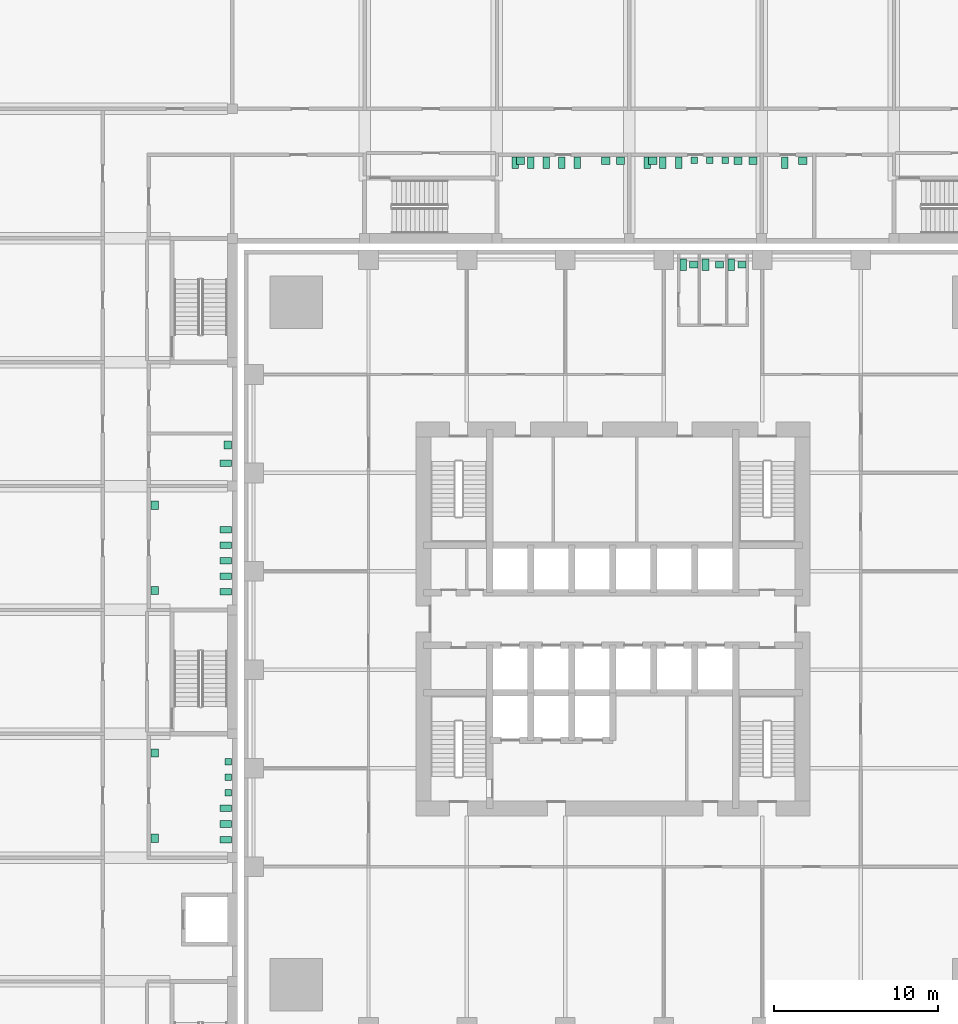
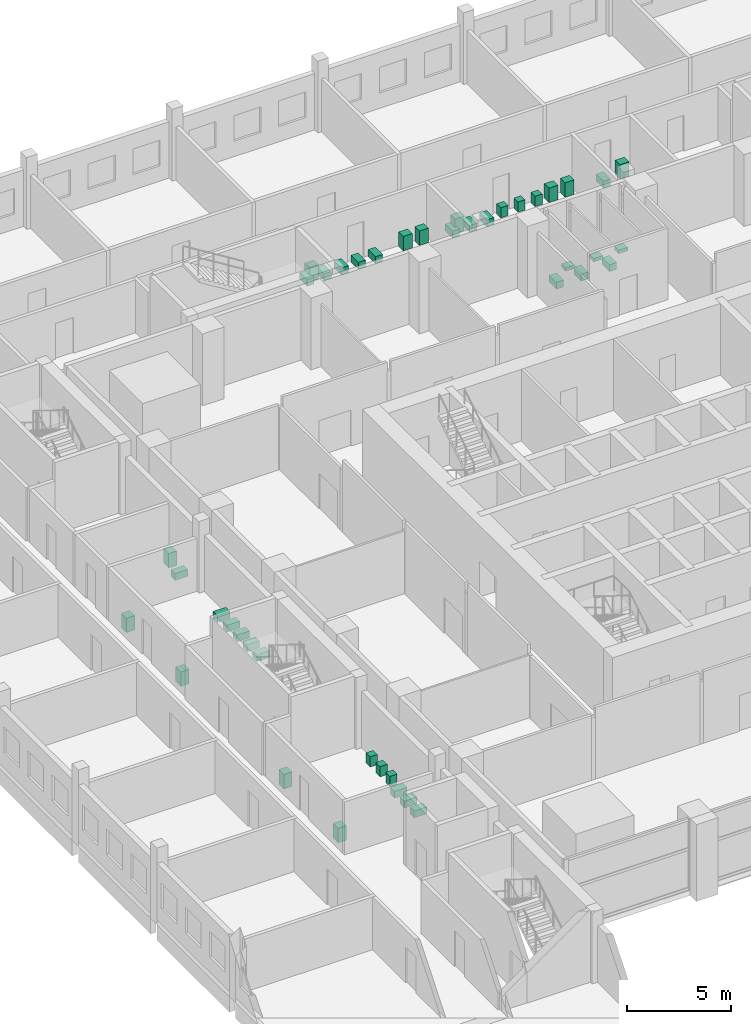
# One storey, part 25 of 25: 42 sanitary terminals.
"""IFC4 building model written with IfcOpenShell, lengths in metres."""

import ifcopenshell
import ifcopenshell.guid

model = None  # the IFC model being written
_history = None  # IfcOwnerHistory: only IFC2X3 demands one
_inside = {}  # id of a spatial element -> (the spatial element, [elements in it])
_under = {}  # id of a project, library or spatial element -> (it, [spatial elements below it])
_declared = {}  # id of a project -> (the project, [libraries it declares])
_typed = {}  # id of a type object -> (the type object, [elements of that type])
_made_of = {}  # id of a material, layer set ... -> (it, [elements and type objects made of it])


def new_model(schema):
    """Start an empty IFC model of exactly this schema.

    Asked for "IFC4X3", IfcOpenShell would pick the latest addendum, in which some entities
    have other attributes; the version numbers below select the first issue.
    IFC2X3 requires an IfcOwnerHistory on every rooted entity: one is made here for all.
    """
    global model, _history
    if schema == "IFC4X3":
        model = ifcopenshell.file(schema_version=(4, 3, 0, 0))
    else:
        model = ifcopenshell.file(schema=schema)
    _inside.clear()
    _under.clear()
    _declared.clear()
    _typed.clear()
    _made_of.clear()
    _history = None
    if model.schema == "IFC2X3":
        org = make("IfcOrganization", Name="unknown")
        user = make(
            "IfcPersonAndOrganization",
            ThePerson=make("IfcPerson", FamilyName="unknown"),
            TheOrganization=org,
        )
        app = make(
            "IfcApplication",
            ApplicationDeveloper=org,
            Version="unknown",
            ApplicationFullName="unknown",
            ApplicationIdentifier="unknown",
        )
        _history = make(
            "IfcOwnerHistory",
            OwningUser=user,
            OwningApplication=app,
            ChangeAction="ADDED",
            CreationDate=0,
        )
    return model


def make(cls, **values):
    """One entity of the class cls with the attributes given. An attribute that is None is left unset."""
    return model.create_entity(
        cls, **{name: value for name, value in values.items() if value is not None}
    )


def rooted(cls, **values):
    """An entity with a GlobalId (a new one), such as an element, a storey or a relation."""
    return make(cls, GlobalId=ifcopenshell.guid.new(), OwnerHistory=_history, **values)


def si_unit(unit_type, name, prefix=None):
    """IfcSIUnit, for example si_unit("LENGTHUNIT", "METRE", prefix="MILLI")."""
    return make("IfcSIUnit", UnitType=unit_type, Prefix=prefix, Name=name)


def assignment(units):
    """IfcUnitAssignment: the units of a project."""
    return None if units is None else make("IfcUnitAssignment", Units=units)


def point(xyz):
    """IfcCartesianPoint."""
    return None if xyz is None else make("IfcCartesianPoint", Coordinates=xyz)


def direction(xyz):
    """IfcDirection."""
    return None if xyz is None else make("IfcDirection", DirectionRatios=xyz)


def frame(location, z_axis=None, x_axis=None):
    """IfcAxis2Placement3D, a coordinate frame: its origin and axes. An axis left out is left unset."""
    return make(
        "IfcAxis2Placement3D",
        Location=point(location),
        Axis=direction(z_axis),
        RefDirection=direction(x_axis),
    )


def frame_2d(location, x_axis=None):
    """IfcAxis2Placement2D, a coordinate frame in the plane: its origin and x axis."""
    return make(
        "IfcAxis2Placement2D", Location=point(location), RefDirection=direction(x_axis)
    )


def origin():
    """The frame at (0, 0, 0) with its axes left unset."""
    return frame((0.0, 0.0, 0.0))


def origin_2d():
    """The frame at (0, 0) in the plane with its x axis left unset."""
    return frame_2d((0.0, 0.0))


def place(relative_to, where):
    """IfcLocalPlacement: puts the frame where relative to a parent placement (None: the world)."""
    return make(
        "IfcLocalPlacement", PlacementRelTo=relative_to, RelativePlacement=where
    )


def context(
    kind, dimensions, precision=None, world=None, true_north=None, identifier=None
):
    """IfcGeometricRepresentationContext, for example the 3D "Model" context."""
    return make(
        "IfcGeometricRepresentationContext",
        ContextIdentifier=identifier,
        ContextType=kind,
        CoordinateSpaceDimension=dimensions,
        Precision=precision,
        WorldCoordinateSystem=world,
        TrueNorth=true_north,
    )


def subcontext(parent, identifier, kind, view, scale=None):
    """IfcGeometricRepresentationSubContext, for example "Body" below "Model"."""
    return make(
        "IfcGeometricRepresentationSubContext",
        ContextIdentifier=identifier,
        ContextType=kind,
        ParentContext=parent,
        TargetScale=scale,
        TargetView=view,
    )


def project(units=None, contexts=None):
    """IfcProject with its units and contexts."""
    return rooted(
        "IfcProject",
        Name="project",
        RepresentationContexts=contexts,
        UnitsInContext=assignment(units),
    )


def spatial(cls, under=None, at=None, **own):
    """A site, building, storey or space (cls), placed at a placement, below another one or the project."""
    s = rooted(cls, ObjectPlacement=at, **own)
    if under is not None:
        _under.setdefault(under.id(), (under, []))[1].append(s)
    return s


def profile(cls, at=None, kind="AREA", **sizes):
    """A parametric profile (cls). Its sizes go by their IFC names, for example OverallWidth=200.0."""
    return make(cls, ProfileType=kind, Position=at, **sizes)


def rectangle(**sizes):
    """IfcRectangleProfileDef."""
    return profile("IfcRectangleProfileDef", **sizes)


def extrude(swept, where, along, depth):
    """IfcExtrudedAreaSolid: the profile swept, set in the frame where, extruded along a direction by depth."""
    return make(
        "IfcExtrudedAreaSolid",
        SweptArea=swept,
        Position=where,
        ExtrudedDirection=direction(along),
        Depth=depth,
    )


def shape(context_of_items, identifier, shape_type, items):
    """IfcShapeRepresentation: the items that make up one representation, for example the "Body"."""
    return make(
        "IfcShapeRepresentation",
        ContextOfItems=context_of_items,
        RepresentationIdentifier=identifier,
        RepresentationType=shape_type,
        Items=items,
    )


def made_of(thing, what):
    """Note that an element or type object is made of a material, layer set ...; save() writes the relation."""
    if what is not None:
        _made_of.setdefault(what.id(), (what, []))[1].append(thing)
    return thing


def element(
    cls,
    number,
    at=None,
    inside=None,
    cuts=None,
    type_object=None,
    material=None,
    context=None,
    identifier="Body",
    shape_type=None,
    held_by="IfcProductDefinitionShape",
    body=None,
    shapes=None,
    **own,
):
    """One element of the class cls, such as IfcWall. Its Tag is "e" and its number.

    at: its placement. inside: the storey or other place that contains it. cuts: it is an
    opening in that element (IfcRelVoidsElement). A single representation is given by context,
    identifier, shape_type and body (its items); several are given by shapes. held_by: the class
    of the entity that holds the representations. save() writes the other relations.
    """
    e = rooted(cls, Tag="e%d" % number, ObjectPlacement=at, **own)
    if body is not None:
        shapes = [shape(context, identifier, shape_type, body)]
    if shapes is not None:
        e.Representation = make(held_by, Representations=shapes)
    if inside is not None:
        _inside.setdefault(inside.id(), (inside, []))[1].append(e)
    if cuts is not None:
        rooted(
            "IfcRelVoidsElement", RelatingBuildingElement=cuts, RelatedOpeningElement=e
        )
    if type_object is not None:
        _typed.setdefault(type_object.id(), (type_object, []))[1].append(e)
    return made_of(e, material)


def aggregate(whole, parts):
    """IfcRelAggregates: a whole, such as a stair, and the parts it consists of."""
    return rooted("IfcRelAggregates", RelatingObject=whole, RelatedObjects=parts)


def save(model, path):
    """Write the relations noted so far, then the file.

    IfcRelAggregates (storeys below a building ...), IfcRelContainedInSpatialStructure (elements
    in a storey), IfcRelDefinesByType, IfcRelAssociatesMaterial and IfcRelDeclares: one each for
    every whole, place, type object, material and project.
    """
    for whole, parts in _under.values():
        aggregate(whole, parts)
    for where, things in _inside.values():
        rooted(
            "IfcRelContainedInSpatialStructure",
            RelatedElements=things,
            RelatingStructure=where,
        )
    for kind, things in _typed.values():
        rooted("IfcRelDefinesByType", RelatedObjects=things, RelatingType=kind)
    for what, things in _made_of.values():
        rooted("IfcRelAssociatesMaterial", RelatedObjects=things, RelatingMaterial=what)
    for by, libraries in _declared.values():
        rooted("IfcRelDeclares", RelatingContext=by, RelatedDefinitions=libraries)
    model.write(path)


model = new_model("IFC4")

# Units and contexts
model_context = context("Model", 3, precision=1e-05, world=origin(), true_north=direction((0.0, 1.0)))
body_context = subcontext(model_context, "Body", "Model", "MODEL_VIEW")
ifc_project = project(units=[si_unit("LENGTHUNIT", "METRE"), si_unit("AREAUNIT", "SQUARE_METRE"), si_unit("VOLUMEUNIT", "CUBIC_METRE"), si_unit("PLANEANGLEUNIT", "RADIAN"), si_unit("MASSUNIT", "GRAM", prefix="KILO")], contexts=[model_context])

# Site, building, storey
site_placement = place(None, origin())
site = spatial("IfcSite", under=ifc_project, at=site_placement, CompositionType="ELEMENT")
building_placement = place(site_placement, origin())
building = spatial("IfcBuilding", under=site, at=building_placement, Name="Amberfall Residences", CompositionType="ELEMENT")
storey_placement = place(building_placement, frame((0.0, 0.0, 14.5)))
storey = spatial("IfcBuildingStorey", under=building, at=storey_placement, Name="L03", CompositionType="ELEMENT", Elevation=14.5)

# Sanitary terminals
sanitary_terminal_1_placement = place(storey_placement, frame((78.780029296875, 67.10009765625, 0.0), z_axis=(0.0, 0.0, 1.0), x_axis=(1.0, 0.0, 0.0)))
element("IfcSanitaryTerminal", 1, at=sanitary_terminal_1_placement, inside=storey, Name="WC pan Gents WC L03", PredefinedType="TOILETPAN", context=body_context, shape_type="SweptSolid", body=[
    extrude(rectangle(XDim=0.39990234375, YDim=0.699951171875, at=origin_2d()), origin(), (0.0, 0.0, 1.0), 0.39990234375),
])
sanitary_terminal_2_placement = place(storey_placement, frame((79.429931640625, 67.10009765625, 0.75), z_axis=(0.0, 0.0, 1.0), x_axis=(1.0, 0.0, 0.0)))
element("IfcSanitaryTerminal", 2, at=sanitary_terminal_2_placement, inside=storey, Name="Wash basin Gents WC L03", PredefinedType="WASHHANDBASIN", context=body_context, shape_type="SweptSolid", body=[
    extrude(rectangle(XDim=0.5, YDim=0.39990234375, at=origin_2d()), origin(), (0.0, 0.0, 1.0), 0.199951171875),
])
sanitary_terminal_3_placement = place(storey_placement, frame((80.14501953125, 67.10009765625, 0.0), z_axis=(0.0, 0.0, 1.0), x_axis=(1.0, 0.0, 0.0)))
element("IfcSanitaryTerminal", 3, at=sanitary_terminal_3_placement, inside=storey, Name="WC pan Accessible WC L03", PredefinedType="TOILETPAN", context=body_context, shape_type="SweptSolid", body=[
    extrude(rectangle(XDim=0.39990234375, YDim=0.699951171875, at=origin_2d()), origin(), (0.0, 0.0, 1.0), 0.39990234375),
])
sanitary_terminal_4_placement = place(storey_placement, frame((80.989990234375, 67.10009765625, 0.75), z_axis=(0.0, 0.0, 1.0), x_axis=(1.0, 0.0, 0.0)))
element("IfcSanitaryTerminal", 4, at=sanitary_terminal_4_placement, inside=storey, Name="Wash basin Accessible WC L03", PredefinedType="WASHHANDBASIN", context=body_context, shape_type="SweptSolid", body=[
    extrude(rectangle(XDim=0.5, YDim=0.39990234375, at=origin_2d()), origin(), (0.0, 0.0, 1.0), 0.199951171875),
])
sanitary_terminal_5_placement = place(storey_placement, frame((81.719970703125, 67.10009765625, 0.0), z_axis=(0.0, 0.0, 1.0), x_axis=(1.0, 0.0, 0.0)))
element("IfcSanitaryTerminal", 5, at=sanitary_terminal_5_placement, inside=storey, Name="WC pan Ladies WC L03", PredefinedType="TOILETPAN", context=body_context, shape_type="SweptSolid", body=[
    extrude(rectangle(XDim=0.39990234375, YDim=0.699951171875, at=origin_2d()), origin(), (0.0, 0.0, 1.0), 0.39990234375),
])
sanitary_terminal_6_placement = place(storey_placement, frame((82.3701171875, 67.10009765625, 0.75), z_axis=(0.0, 0.0, 1.0), x_axis=(1.0, 0.0, 0.0)))
element("IfcSanitaryTerminal", 6, at=sanitary_terminal_6_placement, inside=storey, Name="Wash basin Ladies WC L03", PredefinedType="WASHHANDBASIN", context=body_context, shape_type="SweptSolid", body=[
    extrude(rectangle(XDim=0.5, YDim=0.39990234375, at=origin_2d()), origin(), (0.0, 0.0, 1.0), 0.199951171875),
])
for number, where, z_axis, x_axis, name in (
    (7, (50.89990234375, 32.050048828125, 0.0), (0.0, 0.0, 1.0), (1.0, 0.0, 0.0), "Water closet"),
    (8, (50.89990234375, 33.0, 0.0), (0.0, 0.0, 1.0), (1.0, 0.0, 0.0), "Water closet"),
    (9, (50.89990234375, 33.949951171875, 0.0), (0.0, 0.0, 1.0), (1.0, 0.0, 0.0), "Water closet"),
):
    element("IfcSanitaryTerminal", number, at=place(storey_placement, frame(where, z_axis=z_axis, x_axis=x_axis)), inside=storey, Name=name, PredefinedType="TOILETPAN", context=body_context, shape_type="SweptSolid", body=[
        extrude(rectangle(XDim=0.699951171875, YDim=0.39990234375, at=origin_2d()), origin(), (0.0, 0.0, 1.0), 0.39990234375),
    ])
for number, where, z_axis, x_axis, name in (
    (10, (51.050048828125, 34.89990234375, 0.0), (0.0, 0.0, 1.0), (1.0, 0.0, 0.0), "Urinal"),
    (11, (51.050048828125, 35.85009765625, 0.0), (0.0, 0.0, 1.0), (1.0, 0.0, 0.0), "Urinal"),
    (12, (51.050048828125, 36.800048828125, 0.0), (0.0, 0.0, 1.0), (1.0, 0.0, 0.0), "Urinal"),
):
    element("IfcSanitaryTerminal", number, at=place(storey_placement, frame(where, z_axis=z_axis, x_axis=x_axis)), inside=storey, Name=name, PredefinedType="URINAL", context=body_context, shape_type="SweptSolid", body=[
        extrude(rectangle(XDim=0.39990234375, YDim=0.39990234375, at=origin_2d()), origin(), (0.0, 0.0, 1.0), 0.60009765625),
    ])
for number, where, z_axis, x_axis, name in (
    (13, (46.574951171875, 32.125, 0.0), (0.0, 0.0, 1.0), (1.0, 0.0, 0.0), "Basin"),
    (14, (46.574951171875, 37.324951171875, 0.0), (0.0, 0.0, 1.0), (1.0, 0.0, 0.0), "Basin"),
):
    element("IfcSanitaryTerminal", number, at=place(storey_placement, frame(where, z_axis=z_axis, x_axis=x_axis)), inside=storey, Name=name, PredefinedType="WASHHANDBASIN", context=body_context, shape_type="SweptSolid", body=[
        extrude(rectangle(XDim=0.449951171875, YDim=0.5, at=origin_2d()), origin(), (0.0, 0.0, 1.0), 0.85009765625),
    ])
for number, where, z_axis, x_axis, name in (
    (15, (50.89990234375, 47.14990234375, 0.0), (0.0, 0.0, 1.0), (1.0, 0.0, 0.0), "Water closet"),
    (16, (50.89990234375, 48.10009765625, 0.0), (0.0, 0.0, 1.0), (1.0, 0.0, 0.0), "Water closet"),
    (17, (50.89990234375, 49.050048828125, 0.0), (0.0, 0.0, 1.0), (1.0, 0.0, 0.0), "Water closet"),
    (18, (50.89990234375, 50.0, 0.0), (0.0, 0.0, 1.0), (1.0, 0.0, 0.0), "Water closet"),
    (19, (50.89990234375, 50.949951171875, 0.0), (0.0, 0.0, 1.0), (1.0, 0.0, 0.0), "Water closet"),
):
    element("IfcSanitaryTerminal", number, at=place(storey_placement, frame(where, z_axis=z_axis, x_axis=x_axis)), inside=storey, Name=name, PredefinedType="TOILETPAN", context=body_context, shape_type="SweptSolid", body=[
        extrude(rectangle(XDim=0.699951171875, YDim=0.39990234375, at=origin_2d()), origin(), (0.0, 0.0, 1.0), 0.39990234375),
    ])
for number, where, z_axis, x_axis, name in (
    (20, (46.574951171875, 47.22509765625, 0.0), (0.0, 0.0, 1.0), (1.0, 0.0, 0.0), "Basin"),
    (21, (46.574951171875, 52.425048828125, 0.0), (0.0, 0.0, 1.0), (1.0, 0.0, 0.0), "Basin"),
):
    element("IfcSanitaryTerminal", number, at=place(storey_placement, frame(where, z_axis=z_axis, x_axis=x_axis)), inside=storey, Name=name, PredefinedType="WASHHANDBASIN", context=body_context, shape_type="SweptSolid", body=[
        extrude(rectangle(XDim=0.449951171875, YDim=0.5, at=origin_2d()), origin(), (0.0, 0.0, 1.0), 0.85009765625),
    ])
sanitary_terminal_7_placement = place(storey_placement, frame((50.89990234375, 55.0, 0.0), z_axis=(0.0, 0.0, 1.0), x_axis=(1.0, 0.0, 0.0)))
element("IfcSanitaryTerminal", 22, at=sanitary_terminal_7_placement, inside=storey, Name="Water closet", PredefinedType="TOILETPAN", context=body_context, shape_type="SweptSolid", body=[
    extrude(rectangle(XDim=0.699951171875, YDim=0.39990234375, at=origin_2d()), origin(), (0.0, 0.0, 1.0), 0.39990234375),
])
sanitary_terminal_8_placement = place(storey_placement, frame((51.02490234375, 56.10009765625, 0.0), z_axis=(0.0, 0.0, 1.0), x_axis=(1.0, 0.0, 0.0)))
element("IfcSanitaryTerminal", 23, at=sanitary_terminal_8_placement, inside=storey, Name="Basin", PredefinedType="WASHHANDBASIN", context=body_context, shape_type="SweptSolid", body=[
    extrude(rectangle(XDim=0.449951171875, YDim=0.5, at=origin_2d()), origin(), (0.0, 0.0, 1.0), 0.85009765625),
])
for number, where, z_axis, x_axis, name in (
    (24, (68.532958984375, 73.300048828125, 0.0), (0.0, 0.0, 1.0), (1.0, 0.0, 0.0), "Water closet"),
    (25, (69.48291015625, 73.300048828125, 0.0), (0.0, 0.0, 1.0), (1.0, 0.0, 0.0), "Water closet"),
    (26, (70.43310546875, 73.300048828125, 0.0), (0.0, 0.0, 1.0), (1.0, 0.0, 0.0), "Water closet"),
    (27, (71.383056640625, 73.300048828125, 0.0), (0.0, 0.0, 1.0), (1.0, 0.0, 0.0), "Water closet"),
    (28, (72.3330078125, 73.300048828125, 0.0), (0.0, 0.0, 1.0), (1.0, 0.0, 0.0), "Water closet"),
):
    element("IfcSanitaryTerminal", number, at=place(storey_placement, frame(where, z_axis=z_axis, x_axis=x_axis)), inside=storey, Name=name, PredefinedType="TOILETPAN", context=body_context, shape_type="SweptSolid", body=[
        extrude(rectangle(XDim=0.39990234375, YDim=0.699951171875, at=origin_2d()), origin(), (0.0, 0.0, 1.0), 0.39990234375),
    ])
for number, where, z_axis, x_axis, name in (
    (29, (68.866455078125, 73.425048828125, 0.0), (0.0, 0.0, 1.0), (1.0, 0.0, 0.0), "Basin"),
    (30, (74.06640625, 73.425048828125, 0.0), (0.0, 0.0, 1.0), (1.0, 0.0, 0.0), "Basin"),
    (31, (74.966552734375, 73.425048828125, 0.0), (0.0, 0.0, 1.0), (1.0, 0.0, 0.0), "Basin"),
):
    element("IfcSanitaryTerminal", number, at=place(storey_placement, frame(where, z_axis=z_axis, x_axis=x_axis)), inside=storey, Name=name, PredefinedType="WASHHANDBASIN", context=body_context, shape_type="SweptSolid", body=[
        extrude(rectangle(XDim=0.5, YDim=0.449951171875, at=origin_2d()), origin(), (0.0, 0.0, 1.0), 0.85009765625),
    ])
for number, where, z_axis, x_axis, name in (
    (32, (76.60009765625, 73.300048828125, 0.0), (0.0, 0.0, 1.0), (1.0, 0.0, 0.0), "Water closet"),
    (33, (77.550048828125, 73.300048828125, 0.0), (0.0, 0.0, 1.0), (1.0, 0.0, 0.0), "Water closet"),
    (34, (78.5, 73.300048828125, 0.0), (0.0, 0.0, 1.0), (1.0, 0.0, 0.0), "Water closet"),
):
    element("IfcSanitaryTerminal", number, at=place(storey_placement, frame(where, z_axis=z_axis, x_axis=x_axis)), inside=storey, Name=name, PredefinedType="TOILETPAN", context=body_context, shape_type="SweptSolid", body=[
        extrude(rectangle(XDim=0.39990234375, YDim=0.699951171875, at=origin_2d()), origin(), (0.0, 0.0, 1.0), 0.39990234375),
    ])
for number, where, z_axis, x_axis, name in (
    (35, (79.449951171875, 73.449951171875, 0.0), (0.0, 0.0, 1.0), (1.0, 0.0, 0.0), "Urinal"),
    (36, (80.39990234375, 73.449951171875, 0.0), (0.0, 0.0, 1.0), (1.0, 0.0, 0.0), "Urinal"),
    (37, (81.35009765625, 73.449951171875, 0.0), (0.0, 0.0, 1.0), (1.0, 0.0, 0.0), "Urinal"),
):
    element("IfcSanitaryTerminal", number, at=place(storey_placement, frame(where, z_axis=z_axis, x_axis=x_axis)), inside=storey, Name=name, PredefinedType="URINAL", context=body_context, shape_type="SweptSolid", body=[
        extrude(rectangle(XDim=0.39990234375, YDim=0.39990234375, at=origin_2d()), origin(), (0.0, 0.0, 1.0), 0.60009765625),
    ])
for number, where, z_axis, x_axis, name in (
    (38, (76.93359375, 73.425048828125, 0.0), (0.0, 0.0, 1.0), (1.0, 0.0, 0.0), "Basin"),
    (39, (82.133544921875, 73.425048828125, 0.0), (0.0, 0.0, 1.0), (1.0, 0.0, 0.0), "Basin"),
    (40, (83.033447265625, 73.425048828125, 0.0), (0.0, 0.0, 1.0), (1.0, 0.0, 0.0), "Basin"),
):
    element("IfcSanitaryTerminal", number, at=place(storey_placement, frame(where, z_axis=z_axis, x_axis=x_axis)), inside=storey, Name=name, PredefinedType="WASHHANDBASIN", context=body_context, shape_type="SweptSolid", body=[
        extrude(rectangle(XDim=0.5, YDim=0.449951171875, at=origin_2d()), origin(), (0.0, 0.0, 1.0), 0.85009765625),
    ])
sanitary_terminal_9_placement = place(storey_placement, frame((84.967041015625, 73.300048828125, 0.0), z_axis=(0.0, 0.0, 1.0), x_axis=(1.0, 0.0, 0.0)))
element("IfcSanitaryTerminal", 41, at=sanitary_terminal_9_placement, inside=storey, Name="Water closet", PredefinedType="TOILETPAN", context=body_context, shape_type="SweptSolid", body=[
    extrude(rectangle(XDim=0.39990234375, YDim=0.699951171875, at=origin_2d()), origin(), (0.0, 0.0, 1.0), 0.39990234375),
])
sanitary_terminal_10_placement = place(storey_placement, frame((86.06689453125, 73.425048828125, 0.0), z_axis=(0.0, 0.0, 1.0), x_axis=(1.0, 0.0, 0.0)))
element("IfcSanitaryTerminal", 42, at=sanitary_terminal_10_placement, inside=storey, Name="Basin", PredefinedType="WASHHANDBASIN", context=body_context, shape_type="SweptSolid", body=[
    extrude(rectangle(XDim=0.5, YDim=0.449951171875, at=origin_2d()), origin(), (0.0, 0.0, 1.0), 0.85009765625),
])

save(model, "model.ifc")
